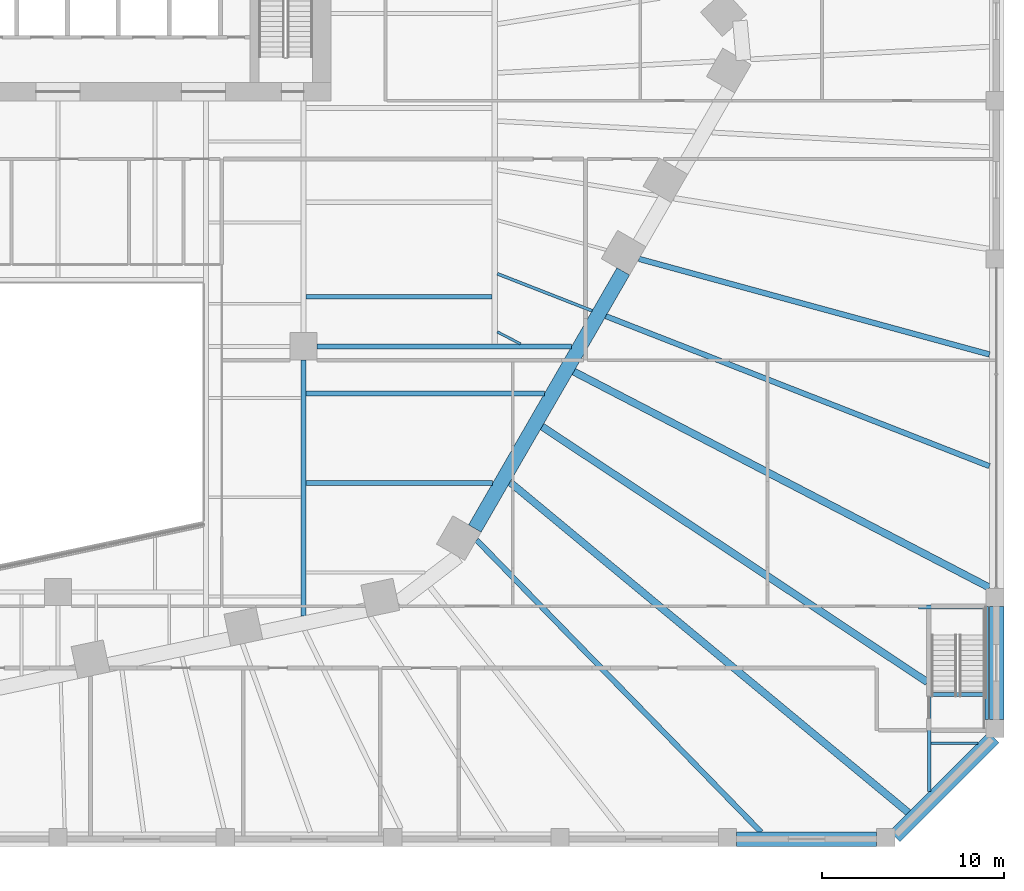
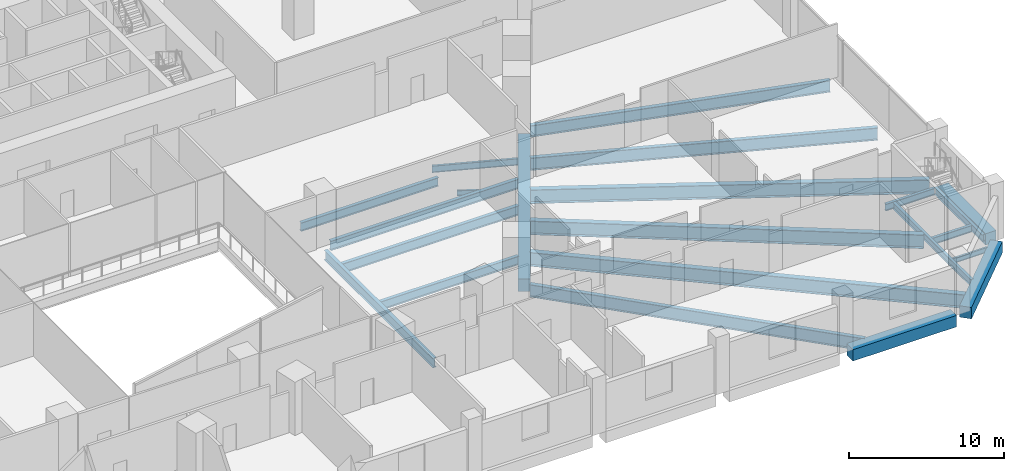
# One storey, part 7 of 29: 22 beams.
"""IFC4 building model written with IfcOpenShell, lengths in metres."""

import ifcopenshell
import ifcopenshell.guid

model = None  # the IFC model being written
_history = None  # IfcOwnerHistory: only IFC2X3 demands one
_inside = {}  # id of a spatial element -> (the spatial element, [elements in it])
_under = {}  # id of a project, library or spatial element -> (it, [spatial elements below it])
_declared = {}  # id of a project -> (the project, [libraries it declares])
_typed = {}  # id of a type object -> (the type object, [elements of that type])
_made_of = {}  # id of a material, layer set ... -> (it, [elements and type objects made of it])


def new_model(schema):
    """Start an empty IFC model of exactly this schema.

    Asked for "IFC4X3", IfcOpenShell would pick the latest addendum, in which some entities
    have other attributes; the version numbers below select the first issue.
    IFC2X3 requires an IfcOwnerHistory on every rooted entity: one is made here for all.
    """
    global model, _history
    if schema == "IFC4X3":
        model = ifcopenshell.file(schema_version=(4, 3, 0, 0))
    else:
        model = ifcopenshell.file(schema=schema)
    _inside.clear()
    _under.clear()
    _declared.clear()
    _typed.clear()
    _made_of.clear()
    _history = None
    if model.schema == "IFC2X3":
        org = make("IfcOrganization", Name="unknown")
        user = make(
            "IfcPersonAndOrganization",
            ThePerson=make("IfcPerson", FamilyName="unknown"),
            TheOrganization=org,
        )
        app = make(
            "IfcApplication",
            ApplicationDeveloper=org,
            Version="unknown",
            ApplicationFullName="unknown",
            ApplicationIdentifier="unknown",
        )
        _history = make(
            "IfcOwnerHistory",
            OwningUser=user,
            OwningApplication=app,
            ChangeAction="ADDED",
            CreationDate=0,
        )
    return model


def make(cls, **values):
    """One entity of the class cls with the attributes given. An attribute that is None is left unset."""
    return model.create_entity(
        cls, **{name: value for name, value in values.items() if value is not None}
    )


def rooted(cls, **values):
    """An entity with a GlobalId (a new one), such as an element, a storey or a relation."""
    return make(cls, GlobalId=ifcopenshell.guid.new(), OwnerHistory=_history, **values)


def si_unit(unit_type, name, prefix=None):
    """IfcSIUnit, for example si_unit("LENGTHUNIT", "METRE", prefix="MILLI")."""
    return make("IfcSIUnit", UnitType=unit_type, Prefix=prefix, Name=name)


def assignment(units):
    """IfcUnitAssignment: the units of a project."""
    return None if units is None else make("IfcUnitAssignment", Units=units)


def point(xyz):
    """IfcCartesianPoint."""
    return None if xyz is None else make("IfcCartesianPoint", Coordinates=xyz)


def direction(xyz):
    """IfcDirection."""
    return None if xyz is None else make("IfcDirection", DirectionRatios=xyz)


def frame(location, z_axis=None, x_axis=None):
    """IfcAxis2Placement3D, a coordinate frame: its origin and axes. An axis left out is left unset."""
    return make(
        "IfcAxis2Placement3D",
        Location=point(location),
        Axis=direction(z_axis),
        RefDirection=direction(x_axis),
    )


def frame_2d(location, x_axis=None):
    """IfcAxis2Placement2D, a coordinate frame in the plane: its origin and x axis."""
    return make(
        "IfcAxis2Placement2D", Location=point(location), RefDirection=direction(x_axis)
    )


def origin():
    """The frame at (0, 0, 0) with its axes left unset."""
    return frame((0.0, 0.0, 0.0))


def origin_2d():
    """The frame at (0, 0) in the plane with its x axis left unset."""
    return frame_2d((0.0, 0.0))


def place(relative_to, where):
    """IfcLocalPlacement: puts the frame where relative to a parent placement (None: the world)."""
    return make(
        "IfcLocalPlacement", PlacementRelTo=relative_to, RelativePlacement=where
    )


def context(
    kind, dimensions, precision=None, world=None, true_north=None, identifier=None
):
    """IfcGeometricRepresentationContext, for example the 3D "Model" context."""
    return make(
        "IfcGeometricRepresentationContext",
        ContextIdentifier=identifier,
        ContextType=kind,
        CoordinateSpaceDimension=dimensions,
        Precision=precision,
        WorldCoordinateSystem=world,
        TrueNorth=true_north,
    )


def subcontext(parent, identifier, kind, view, scale=None):
    """IfcGeometricRepresentationSubContext, for example "Body" below "Model"."""
    return make(
        "IfcGeometricRepresentationSubContext",
        ContextIdentifier=identifier,
        ContextType=kind,
        ParentContext=parent,
        TargetScale=scale,
        TargetView=view,
    )


def project(units=None, contexts=None):
    """IfcProject with its units and contexts."""
    return rooted(
        "IfcProject",
        Name="project",
        RepresentationContexts=contexts,
        UnitsInContext=assignment(units),
    )


def spatial(cls, under=None, at=None, **own):
    """A site, building, storey or space (cls), placed at a placement, below another one or the project."""
    s = rooted(cls, ObjectPlacement=at, **own)
    if under is not None:
        _under.setdefault(under.id(), (under, []))[1].append(s)
    return s


def profile(cls, at=None, kind="AREA", **sizes):
    """A parametric profile (cls). Its sizes go by their IFC names, for example OverallWidth=200.0."""
    return make(cls, ProfileType=kind, Position=at, **sizes)


def rectangle(**sizes):
    """IfcRectangleProfileDef."""
    return profile("IfcRectangleProfileDef", **sizes)


def i_section(**sizes):
    """IfcIShapeProfileDef."""
    return profile("IfcIShapeProfileDef", **sizes)


def extrude(swept, where, along, depth):
    """IfcExtrudedAreaSolid: the profile swept, set in the frame where, extruded along a direction by depth."""
    return make(
        "IfcExtrudedAreaSolid",
        SweptArea=swept,
        Position=where,
        ExtrudedDirection=direction(along),
        Depth=depth,
    )


def shape(context_of_items, identifier, shape_type, items):
    """IfcShapeRepresentation: the items that make up one representation, for example the "Body"."""
    return make(
        "IfcShapeRepresentation",
        ContextOfItems=context_of_items,
        RepresentationIdentifier=identifier,
        RepresentationType=shape_type,
        Items=items,
    )


def material(Name=None, Category=None):
    """IfcMaterial."""
    return make("IfcMaterial", Name=Name, Category=Category)


def material_profile(
    of_material, cross_section, Name=None, Category=None, Priority=None
):
    """IfcMaterialProfile: a cross section and its material."""
    return make(
        "IfcMaterialProfile",
        Name=Name,
        Material=of_material,
        Profile=cross_section,
        Priority=Priority,
        Category=Category,
    )


def profile_set(profiles, Name=None, composite=None):
    """IfcMaterialProfileSet."""
    return make(
        "IfcMaterialProfileSet",
        Name=Name,
        MaterialProfiles=profiles,
        CompositeProfile=composite,
    )


def made_of(thing, what):
    """Note that an element or type object is made of a material, layer set ...; save() writes the relation."""
    if what is not None:
        _made_of.setdefault(what.id(), (what, []))[1].append(thing)
    return thing


def type_object(cls, material=None, **own):
    """A type object (cls), such as IfcWallType, which elements share."""
    return made_of(rooted(cls, **own), material)


def element(
    cls,
    number,
    at=None,
    inside=None,
    cuts=None,
    type_object=None,
    material=None,
    context=None,
    identifier="Body",
    shape_type=None,
    held_by="IfcProductDefinitionShape",
    body=None,
    shapes=None,
    **own,
):
    """One element of the class cls, such as IfcWall. Its Tag is "e" and its number.

    at: its placement. inside: the storey or other place that contains it. cuts: it is an
    opening in that element (IfcRelVoidsElement). A single representation is given by context,
    identifier, shape_type and body (its items); several are given by shapes. held_by: the class
    of the entity that holds the representations. save() writes the other relations.
    """
    e = rooted(cls, Tag="e%d" % number, ObjectPlacement=at, **own)
    if body is not None:
        shapes = [shape(context, identifier, shape_type, body)]
    if shapes is not None:
        e.Representation = make(held_by, Representations=shapes)
    if inside is not None:
        _inside.setdefault(inside.id(), (inside, []))[1].append(e)
    if cuts is not None:
        rooted(
            "IfcRelVoidsElement", RelatingBuildingElement=cuts, RelatedOpeningElement=e
        )
    if type_object is not None:
        _typed.setdefault(type_object.id(), (type_object, []))[1].append(e)
    return made_of(e, material)


def aggregate(whole, parts):
    """IfcRelAggregates: a whole, such as a stair, and the parts it consists of."""
    return rooted("IfcRelAggregates", RelatingObject=whole, RelatedObjects=parts)


def save(model, path):
    """Write the relations noted so far, then the file.

    IfcRelAggregates (storeys below a building ...), IfcRelContainedInSpatialStructure (elements
    in a storey), IfcRelDefinesByType, IfcRelAssociatesMaterial and IfcRelDeclares: one each for
    every whole, place, type object, material and project.
    """
    for whole, parts in _under.values():
        aggregate(whole, parts)
    for where, things in _inside.values():
        rooted(
            "IfcRelContainedInSpatialStructure",
            RelatedElements=things,
            RelatingStructure=where,
        )
    for kind, things in _typed.values():
        rooted("IfcRelDefinesByType", RelatedObjects=things, RelatingType=kind)
    for what, things in _made_of.values():
        rooted("IfcRelAssociatesMaterial", RelatedObjects=things, RelatingMaterial=what)
    for by, libraries in _declared.values():
        rooted("IfcRelDeclares", RelatingContext=by, RelatedDefinitions=libraries)
    model.write(path)


model = new_model("IFC4")

# Units and contexts
model_context = context("Model", 3, precision=1e-05, world=origin(), true_north=direction((0.0, 1.0)))
body_context = subcontext(model_context, "Body", "Model", "MODEL_VIEW")
ifc_project = project(units=[si_unit("LENGTHUNIT", "METRE"), si_unit("AREAUNIT", "SQUARE_METRE"), si_unit("VOLUMEUNIT", "CUBIC_METRE"), si_unit("PLANEANGLEUNIT", "RADIAN"), si_unit("MASSUNIT", "GRAM", prefix="KILO")], contexts=[model_context])

# Site, building, storey
site_placement = place(None, origin())
site = spatial("IfcSite", under=ifc_project, at=site_placement, CompositionType="ELEMENT")
building_placement = place(site_placement, origin())
building = spatial("IfcBuilding", under=site, at=building_placement, Name="Isthmus Gate Tower", CompositionType="ELEMENT")
storey_placement = place(building_placement, frame((0.0, 0.0, 27.0)))
storey = spatial("IfcBuildingStorey", under=building, at=storey_placement, Name="L04", CompositionType="ELEMENT", Elevation=27.0)

# Beams
ifc_material_1 = material(Name="Concrete f'c 70 MPa", Category="concrete")
ifc_material_profile_1 = material_profile(ifc_material_1, rectangle(XDim=0.800048828125, YDim=0.89990234375, at=origin_2d()), Name="RC 800X900")
ifc_profile_set_1 = profile_set([ifc_material_profile_1], Name="Concrete f'c 70 MPa")
beam_type_1 = type_object("IfcBeamType", Name="RC EDGE BEAM 800 X 900", PredefinedType="BEAM", material=ifc_profile_set_1)
beam_1_placement = place(storey_placement, frame((51.60009765625, -27.800048828125, -0.75), z_axis=(0.0, -1.0, 0.0), x_axis=(1.0, 0.0, 0.0)))
element("IfcBeam", 1, at=beam_1_placement, inside=storey, type_object=beam_type_1, Name="str-edgebeam-L04-26", PredefinedType="BEAM", context=body_context, shape_type="SweptSolid", body=[
    extrude(rectangle(XDim=0.800048828125, YDim=0.89990234375, at=origin_2d()), origin(), (0.0, 0.0, 1.0), 6.199951171875),
])
beam_2_placement = place(storey_placement, frame((51.434326171875, -35.0, -0.75), z_axis=(-0.707106781187, -0.707106781187, 0.0), x_axis=(0.707106781187, -0.707106781187, 0.0)))
element("IfcBeam", 2, at=beam_2_placement, inside=storey, type_object=beam_type_1, Name="str-edgebeam-L04-27", PredefinedType="BEAM", context=body_context, shape_type="SweptSolid", body=[
    extrude(rectangle(XDim=0.800048828125, YDim=0.89990234375, at=origin_2d()), origin(), (0.0, 0.0, 1.0), 7.685302734375),
])
beam_3_placement = place(storey_placement, frame((45.0, -40.60009765625, -0.75), z_axis=(-1.0, 0.0, 0.0), x_axis=(0.0, -1.0, 0.0)))
element("IfcBeam", 3, at=beam_3_placement, inside=storey, type_object=beam_type_1, Name="str-edgebeam-L04-28", PredefinedType="BEAM", context=body_context, shape_type="SweptSolid", body=[
    extrude(rectangle(XDim=0.800048828125, YDim=0.89990234375, at=origin_2d()), origin(), (0.0, 0.0, 1.0), 7.699951171875),
])
ifc_material_2 = material(Name="Concrete f'c 70 MPa", Category="concrete")
ifc_material_profile_2 = material_profile(ifc_material_2, rectangle(XDim=0.800048828125, YDim=1.0, at=origin_2d()), Name="RC 800X1000")
ifc_profile_set_2 = profile_set([ifc_material_profile_2], Name="Concrete f'c 70 MPa")
beam_type_2 = type_object("IfcBeamType", Name="RC TUBE RING BEAM 800 X 1000", PredefinedType="BEAM", material=ifc_profile_set_2)
beam_4_placement = place(storey_placement, frame((31.0732421875, -9.37939453125, -0.800048828125), z_axis=(-0.499991872758, -0.866030095999, 0.0), x_axis=(0.866030095999, -0.499991872758, 0.0)))
element("IfcBeam", 4, at=beam_4_placement, inside=storey, type_object=beam_type_2, Name="str-ringbeam-L04-08", PredefinedType="BEAM", context=body_context, shape_type="SweptSolid", body=[
    extrude(rectangle(XDim=0.800048828125, YDim=1.0, at=origin_2d()), origin(), (0.0, 0.0, 1.0), 16.315673828125),
])
ifc_material_3 = material(Name="Structural steel ASTM A992 Gr 50", Category="steel")
ifc_material_profile_3 = material_profile(ifc_material_3, i_section(OverallWidth=0.1396484375, OverallDepth=0.4033203125, WebThickness=0.00634765625, FlangeThickness=0.010986328125, at=origin_2d()), Name="W16X31")
ifc_profile_set_3 = profile_set([ifc_material_profile_3], Name="Structural steel ASTM A992 Gr 50")
beam_type_3 = type_object("IfcBeamType", Name="STEEL FLOOR BEAM W16X31", PredefinedType="JOIST", material=ifc_profile_set_3)
beam_5_placement = place(storey_placement, frame((24.15234375, -12.70458984375, -0.501708984375), z_axis=(0.887311444144, -0.46117068542, 0.0), x_axis=(0.46117068542, 0.887311444144, 0.0)))
element("IfcBeam", 5, at=beam_5_placement, inside=storey, type_object=beam_type_3, Name="str-beam-L04-19-63", PredefinedType="JOIST", context=body_context, shape_type="SweptSolid", body=[
    extrude(i_section(OverallWidth=0.1396484375, OverallDepth=0.4033203125, WebThickness=0.00634765625, FlangeThickness=0.010986328125, at=origin_2d()), origin(), (0.0, 0.0, 1.0), 1.435791015625),
])
beam_6_placement = place(storey_placement, frame((48.0, -35.301513671875, -0.501708984375), z_axis=(1.0, 0.0, 0.0), x_axis=(0.0, 1.0, 0.0)))
element("IfcBeam", 6, at=beam_6_placement, inside=storey, type_object=beam_type_3, Name="str-beam-L04-36-00", PredefinedType="JOIST", context=body_context, shape_type="SweptSolid", body=[
    extrude(i_section(OverallWidth=0.1396484375, OverallDepth=0.4033203125, WebThickness=0.00634765625, FlangeThickness=0.010986328125, at=origin_2d()), origin(), (0.0, 0.0, 1.0), 2.567138671875),
])
ifc_material_4 = material(Name="Structural steel ASTM A992 Gr 50", Category="steel")
ifc_material_profile_4 = material_profile(ifc_material_4, i_section(OverallWidth=0.1650390625, OverallDepth=0.52392578125, WebThickness=0.009521484375, FlangeThickness=0.010986328125, at=origin_2d()), Name="W21X44")
ifc_profile_set_4 = profile_set([ifc_material_profile_4], Name="Structural steel ASTM A992 Gr 50")
beam_type_4 = type_object("IfcBeamType", Name="STEEL FLOOR BEAM W21X44", PredefinedType="JOIST", material=ifc_profile_set_4)
beam_7_placement = place(storey_placement, frame((24.15234375, -9.508056640625, -0.56201171875), z_axis=(0.931344501057, -0.364139287018, 0.0), x_axis=(0.364139287018, 0.931344501057, 0.0)))
element("IfcBeam", 7, at=beam_7_placement, inside=storey, type_object=beam_type_4, Name="str-beam-L04-19-65", PredefinedType="JOIST", context=body_context, shape_type="SweptSolid", body=[
    extrude(i_section(OverallWidth=0.1650390625, OverallDepth=0.52392578125, WebThickness=0.009521484375, FlangeThickness=0.010986328125, at=origin_2d()), origin(), (0.0, 0.0, 1.0), 5.593017578125),
])
ifc_material_5 = material(Name="Structural steel ASTM A992 Gr 50", Category="steel")
ifc_material_profile_5 = material_profile(ifc_material_5, i_section(OverallWidth=0.25390625, OverallDepth=0.679443359375, WebThickness=0.010986328125, FlangeThickness=0.015869140625, at=origin_2d()), Name="W27X84")
ifc_profile_set_5 = profile_set([ifc_material_profile_5], Name="Structural steel ASTM A992 Gr 50")
beam_type_5 = type_object("IfcBeamType", Name="STEEL FLOOR BEAM W27X84", PredefinedType="JOIST", material=ifc_profile_set_5)
beam_8_placement = place(storey_placement, frame((13.6318359375, -10.772705078125, -0.6396484375), z_axis=(1.0, 0.0, 0.0), x_axis=(0.0, 1.0, 0.0)))
element("IfcBeam", 8, at=beam_8_placement, inside=storey, type_object=beam_type_5, Name="str-beam-L04-30-00", PredefinedType="JOIST", context=body_context, shape_type="SweptSolid", body=[
    extrude(i_section(OverallWidth=0.25390625, OverallDepth=0.679443359375, WebThickness=0.010986328125, FlangeThickness=0.015869140625, at=origin_2d()), origin(), (0.0, 0.0, 1.0), 10.2158203125),
])
beam_9_placement = place(storey_placement, frame((13.63330078125, -21.0078125, -0.6396484375), z_axis=(1.0, 0.0, 0.0), x_axis=(0.0, 1.0, 0.0)))
element("IfcBeam", 9, at=beam_9_placement, inside=storey, type_object=beam_type_5, Name="str-beam-L04-31-01", PredefinedType="JOIST", context=body_context, shape_type="SweptSolid", body=[
    extrude(i_section(OverallWidth=0.25390625, OverallDepth=0.679443359375, WebThickness=0.010986328125, FlangeThickness=0.015869140625, at=origin_2d()), origin(), (0.0, 0.0, 1.0), 10.264404296875),
])
ifc_material_6 = material(Name="Structural steel ASTM A992 Gr 50", Category="steel")
ifc_material_profile_6 = material_profile(ifc_material_6, i_section(OverallWidth=0.263427734375, OverallDepth=0.749267578125, WebThickness=0.0126953125, FlangeThickness=0.015869140625, at=origin_2d()), Name="W30X90")
ifc_profile_set_6 = profile_set([ifc_material_profile_6], Name="Structural steel ASTM A992 Gr 50")
beam_type_6 = type_object("IfcBeamType", Name="STEEL FLOOR BEAM W30X90", PredefinedType="JOIST", material=ifc_profile_set_6)
beam_10_placement = place(storey_placement, frame((13.63330078125, -16.091552734375, -0.674560546875), z_axis=(1.0, 0.0, 0.0), x_axis=(0.0, 1.0, 0.0)))
element("IfcBeam", 10, at=beam_10_placement, inside=storey, type_object=beam_type_6, Name="str-beam-L04-31-02", PredefinedType="JOIST", context=body_context, shape_type="SweptSolid", body=[
    extrude(i_section(OverallWidth=0.263427734375, OverallDepth=0.749267578125, WebThickness=0.0126953125, FlangeThickness=0.015869140625, at=origin_2d()), origin(), (0.0, 0.0, 1.0), 13.10302734375),
])
ifc_material_7 = material(Name="Structural steel ASTM A992 Gr 50", Category="steel")
ifc_material_profile_7 = material_profile(ifc_material_7, i_section(OverallWidth=0.3046875, OverallDepth=0.914306640625, WebThickness=0.015869140625, FlangeThickness=0.025390625, at=origin_2d()), Name="W36X160")
ifc_profile_set_7 = profile_set([ifc_material_profile_7], Name="Structural steel ASTM A992 Gr 50")
beam_type_7 = type_object("IfcBeamType", Name="STEEL FLOOR BEAM W36X160", PredefinedType="JOIST", material=ifc_profile_set_7)
beam_11_placement = place(storey_placement, frame((31.933349609375, -8.689697265625, -0.757080078125), z_axis=(0.964768617141, -0.263099820182, 0.0), x_axis=(0.263099820182, 0.964768617141, 0.0)))
element("IfcBeam", 11, at=beam_11_placement, inside=storey, type_object=beam_type_7, Name="str-beam-L04-19-68", PredefinedType="JOIST", context=body_context, shape_type="SweptSolid", body=[
    extrude(i_section(OverallWidth=0.3046875, OverallDepth=0.914306640625, WebThickness=0.015869140625, FlangeThickness=0.025390625, at=origin_2d()), origin(), (0.0, 0.0, 1.0), 19.97021484375),
])
ifc_material_8 = material(Name="Structural steel ASTM A992 Gr 50", Category="steel")
ifc_material_profile_8 = material_profile(ifc_material_8, i_section(OverallWidth=0.29833984375, OverallDepth=0.981201171875, WebThickness=0.015869140625, FlangeThickness=0.025390625, at=origin_2d()), Name="W40X167")
ifc_profile_set_8 = profile_set([ifc_material_profile_8], Name="Structural steel ASTM A992 Gr 50")
beam_type_8 = type_object("IfcBeamType", Name="STEEL FLOOR BEAM W40X167", PredefinedType="JOIST", material=ifc_profile_set_8)
beam_12_placement = place(storey_placement, frame((23.011474609375, -24.14306640625, -0.79052734375), z_axis=(0.697632134524, -0.716456143026, 0.0), x_axis=(0.716456143026, 0.697632134524, 0.0)))
element("IfcBeam", 12, at=beam_12_placement, inside=storey, type_object=beam_type_8, Name="str-beam-L04-19-60", PredefinedType="JOIST", context=body_context, shape_type="SweptSolid", body=[
    extrude(i_section(OverallWidth=0.29833984375, OverallDepth=0.981201171875, WebThickness=0.015869140625, FlangeThickness=0.025390625, at=origin_2d()), origin(), (0.0, 0.0, 1.0), 22.41162109375),
])
beam_13_placement = place(storey_placement, frame((30.114990234375, -11.83935546875, -0.79052734375), z_axis=(0.931336462339, -0.364159846658, 0.0), x_axis=(0.364159846658, 0.931336462339, 0.0)))
element("IfcBeam", 13, at=beam_13_placement, inside=storey, type_object=beam_type_8, Name="str-beam-L04-19-66", PredefinedType="JOIST", context=body_context, shape_type="SweptSolid", body=[
    extrude(i_section(OverallWidth=0.29833984375, OverallDepth=0.981201171875, WebThickness=0.015869140625, FlangeThickness=0.025390625, at=origin_2d()), origin(), (0.0, 0.0, 1.0), 22.639404296875),
])
ifc_material_9 = material(Name="Structural steel ASTM A992 Gr 50", Category="steel")
ifc_material_profile_9 = material_profile(ifc_material_9, i_section(OverallWidth=0.39990234375, OverallDepth=1.089111328125, WebThickness=0.017578125, FlangeThickness=0.03173828125, at=origin_2d()), Name="W44X230")
ifc_profile_set_9 = profile_set([ifc_material_profile_9], Name="Structural steel ASTM A992 Gr 50")
beam_type_9 = type_object("IfcBeamType", Name="STEEL FLOOR BEAM W44X230", PredefinedType="JOIST", material=ifc_profile_set_9)
beam_14_placement = place(storey_placement, frame((24.843994140625, -20.968994140625, -0.844482421875), z_axis=(0.769831187621, -0.638247555864, 0.0), x_axis=(0.638247555864, 0.769831187621, 0.0)))
element("IfcBeam", 14, at=beam_14_placement, inside=storey, type_object=beam_type_9, Name="str-beam-L04-19-61", PredefinedType="JOIST", context=body_context, shape_type="SweptSolid", body=[
    extrude(i_section(OverallWidth=0.39990234375, OverallDepth=1.089111328125, WebThickness=0.017578125, FlangeThickness=0.03173828125, at=origin_2d()), origin(), (0.0, 0.0, 1.0), 28.447021484375),
])
beam_15_placement = place(storey_placement, frame((26.611083984375, -17.908447265625, -0.844482421875), z_axis=(0.833311666226, -0.552803461397, 0.0), x_axis=(0.552803461397, 0.833311666226, 0.0)))
element("IfcBeam", 15, at=beam_15_placement, inside=storey, type_object=beam_type_9, Name="str-beam-L04-19-62", PredefinedType="JOIST", context=body_context, shape_type="SweptSolid", body=[
    extrude(i_section(OverallWidth=0.39990234375, OverallDepth=1.089111328125, WebThickness=0.017578125, FlangeThickness=0.03173828125, at=origin_2d()), origin(), (0.0, 0.0, 1.0), 25.416015625),
])
beam_16_placement = place(storey_placement, frame((28.354736328125, -14.888427734375, -0.844482421875), z_axis=(0.887354478981, -0.461087875174, 0.0), x_axis=(0.461087875174, 0.887354478981, 0.0)))
element("IfcBeam", 16, at=beam_16_placement, inside=storey, type_object=beam_type_9, Name="str-beam-L04-19-64", PredefinedType="JOIST", context=body_context, shape_type="SweptSolid", body=[
    extrude(i_section(OverallWidth=0.39990234375, OverallDepth=1.089111328125, WebThickness=0.017578125, FlangeThickness=0.03173828125, at=origin_2d()), origin(), (0.0, 0.0, 1.0), 25.745361328125),
])
ifc_material_10 = material(Name="Structural steel ASTM A992 Gr 50", Category="steel")
ifc_material_profile_10 = material_profile(ifc_material_10, i_section(OverallWidth=0.2666015625, OverallDepth=0.7587890625, WebThickness=0.014404296875, FlangeThickness=0.01904296875, at=origin_2d()), Name="W30X108")
ifc_profile_set_10 = profile_set([ifc_material_profile_10], Name="Structural steel ASTM A992 Gr 50")
beam_type_10 = type_object("IfcBeamType", Name="STEEL GIRDER W30X108", PredefinedType="BEAM", material=ifc_profile_set_10)
beam_17_placement = place(storey_placement, frame((14.25, -13.5, -0.679443359375), z_axis=(1.0, 0.0, 0.0), x_axis=(0.0, 1.0, 0.0)))
element("IfcBeam", 17, at=beam_17_placement, inside=storey, type_object=beam_type_10, Name="str-girder-L04-08", PredefinedType="BEAM", context=body_context, shape_type="SweptSolid", body=[
    extrude(i_section(OverallWidth=0.2666015625, OverallDepth=0.7587890625, WebThickness=0.014404296875, FlangeThickness=0.01904296875, at=origin_2d()), origin(), (0.0, 0.0, 1.0), 13.982421875),
])
beam_18_placement = place(storey_placement, frame((13.5, -28.3125, -0.679443359375), z_axis=(0.0, 1.0, 0.0), x_axis=(-1.0, 0.0, 0.0)))
element("IfcBeam", 18, at=beam_18_placement, inside=storey, type_object=beam_type_10, Name="str-girder-L04-31", PredefinedType="BEAM", context=body_context, shape_type="SweptSolid", body=[
    extrude(i_section(OverallWidth=0.2666015625, OverallDepth=0.7587890625, WebThickness=0.014404296875, FlangeThickness=0.01904296875, at=origin_2d()), origin(), (0.0, 0.0, 1.0), 14.0625),
])
ifc_material_11 = material(Name="Structural steel ASTM A992 Gr 50", Category="steel")
ifc_material_profile_11 = material_profile(ifc_material_11, i_section(OverallWidth=0.20947265625, OverallDepth=0.533447265625, WebThickness=0.009521484375, FlangeThickness=0.015869140625, at=origin_2d()), Name="W21X62")
ifc_profile_set_11 = profile_set([ifc_material_profile_11], Name="Structural steel ASTM A992 Gr 50")
beam_type_11 = type_object("IfcBeamType", Name="STEEL TRIMMER W21X62", PredefinedType="BEAM", material=ifc_profile_set_11)
beam_19_placement = place(storey_placement, frame((51.0546875, -34.0, -0.566650390625), z_axis=(0.0, 1.0, 0.0), x_axis=(-1.0, 0.0, 0.0)))
element("IfcBeam", 19, at=beam_19_placement, inside=storey, type_object=beam_type_11, Name="str-trimmer-L04-05", PredefinedType="BEAM", context=body_context, shape_type="SweptSolid", body=[
    extrude(i_section(OverallWidth=0.20947265625, OverallDepth=0.533447265625, WebThickness=0.009521484375, FlangeThickness=0.015869140625, at=origin_2d()), origin(), (0.0, 0.0, 1.0), 6.199951171875),
])
beam_20_placement = place(storey_placement, frame((47.895263671875, -27.928955078125, -0.566650390625), z_axis=(0.0, -1.0, 0.0), x_axis=(1.0, 0.0, 0.0)))
element("IfcBeam", 20, at=beam_20_placement, inside=storey, type_object=beam_type_11, Name="str-trimmer-L04-06", PredefinedType="BEAM", context=body_context, shape_type="SweptSolid", body=[
    extrude(i_section(OverallWidth=0.20947265625, OverallDepth=0.533447265625, WebThickness=0.009521484375, FlangeThickness=0.015869140625, at=origin_2d()), origin(), (0.0, 0.0, 1.0), 10.04443359375),
])
beam_21_placement = place(storey_placement, frame((50.949951171875, -27.82421875, -0.566650390625), z_axis=(-1.0, 0.0, 0.0), x_axis=(0.0, -1.0, 0.0)))
element("IfcBeam", 21, at=beam_21_placement, inside=storey, type_object=beam_type_11, Name="str-trimmer-L04-15", PredefinedType="BEAM", context=body_context, shape_type="SweptSolid", body=[
    extrude(i_section(OverallWidth=0.20947265625, OverallDepth=0.533447265625, WebThickness=0.009521484375, FlangeThickness=0.015869140625, at=origin_2d()), origin(), (0.0, 0.0, 1.0), 3.64990234375),
])
beam_22_placement = place(storey_placement, frame((48.0, -32.629638671875, -0.566650390625), z_axis=(1.0, 0.0, 0.0), x_axis=(0.0, 1.0, 0.0)))
element("IfcBeam", 22, at=beam_22_placement, inside=storey, type_object=beam_type_11, Name="str-trimmer-L04-16", PredefinedType="BEAM", context=body_context, shape_type="SweptSolid", body=[
    extrude(i_section(OverallWidth=0.20947265625, OverallDepth=0.533447265625, WebThickness=0.009521484375, FlangeThickness=0.015869140625, at=origin_2d()), origin(), (0.0, 0.0, 1.0), 2.949951171875),
])

save(model, "model.ifc")
